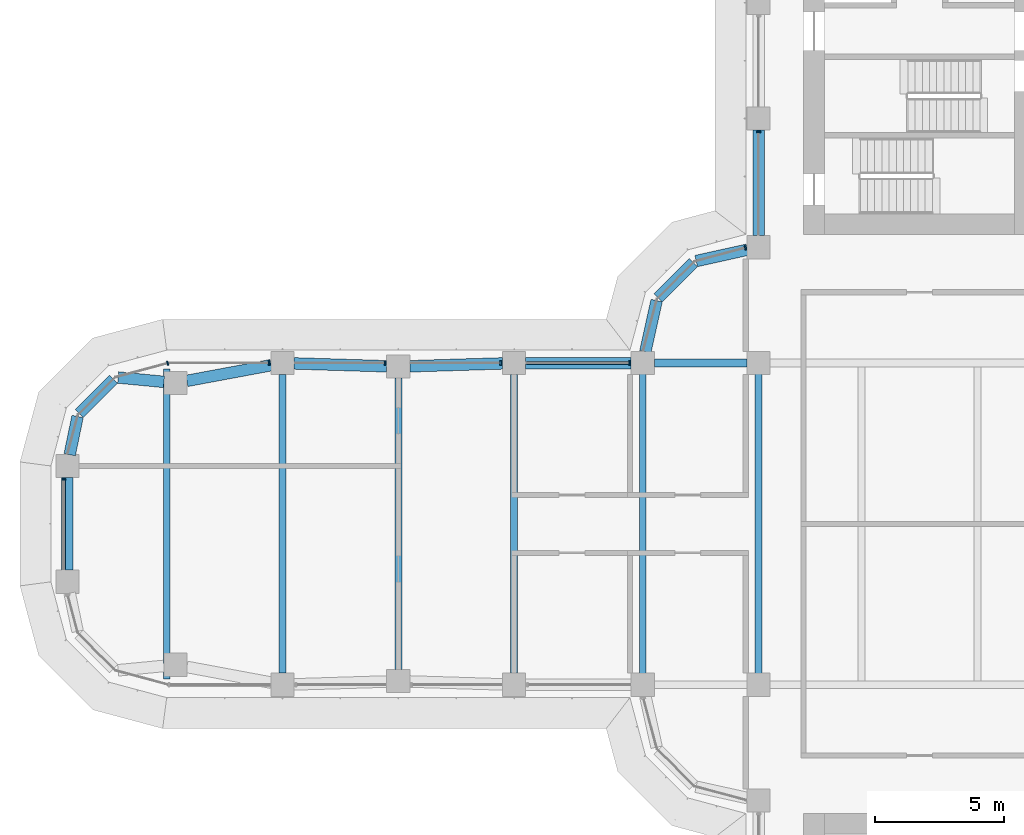
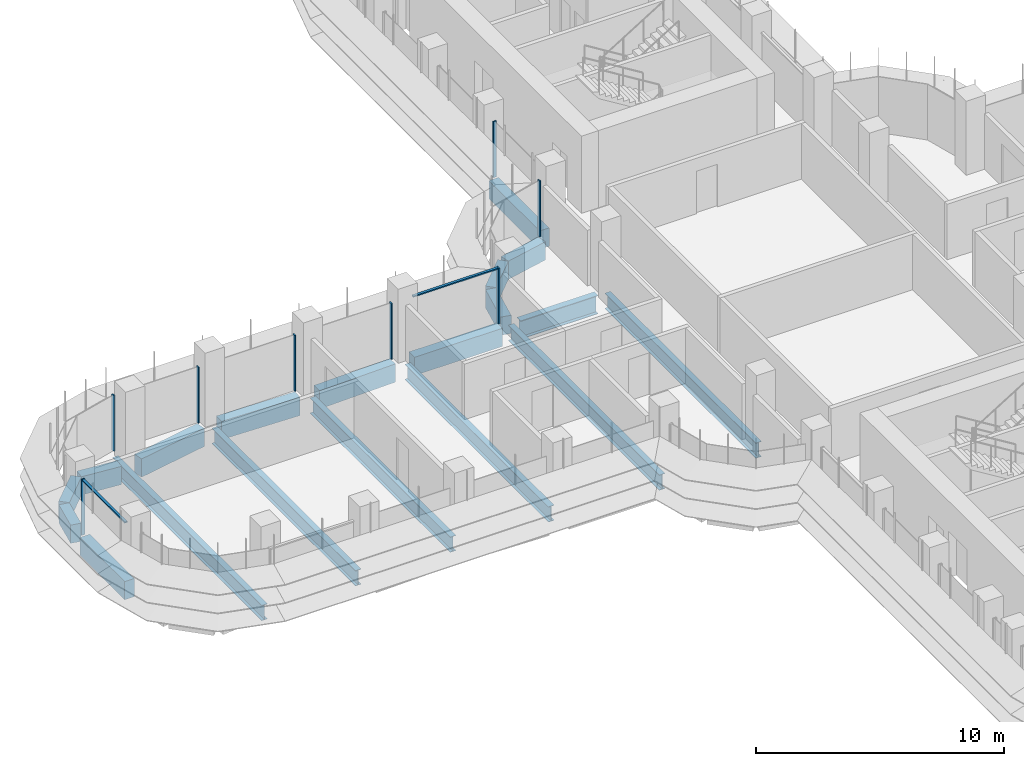
# One storey, part 6 of 21: 19 beams, 10 members, 5 elements without a shape of their own.
"""IFC4 building model written with IfcOpenShell, lengths in metres."""

from ifc_helpers import new_model, si_unit, direction, frame, origin, origin_2d, place, context, subcontext, project, spatial, polyline, rectangle, i_section, outline, extrude, source, transform, mapped, material, material_profile, profile_set, type_object, element, aggregate, save


model = new_model("IFC4")

# Units and contexts
model_context = context("Model", 3, precision=1e-05, world=origin(), true_north=direction((0.0, 1.0)))
body_context = subcontext(model_context, "Body", "Model", "MODEL_VIEW")
ifc_project = project(units=[si_unit("LENGTHUNIT", "METRE"), si_unit("AREAUNIT", "SQUARE_METRE"), si_unit("VOLUMEUNIT", "CUBIC_METRE"), si_unit("PLANEANGLEUNIT", "RADIAN"), si_unit("MASSUNIT", "GRAM", prefix="KILO")], contexts=[model_context])

# Site, building, storey
site_placement = place(None, origin())
site = spatial("IfcSite", under=ifc_project, at=site_placement, CompositionType="ELEMENT")
building_placement = place(site_placement, origin())
building = spatial("IfcBuilding", under=site, at=building_placement, Name="Zarbagh Exchange Tower", CompositionType="ELEMENT")
storey_placement = place(building_placement, frame((0.0, 0.0, 120.800048828125)))
storey = spatial("IfcBuildingStorey", under=building, at=storey_placement, Name="L28", CompositionType="ELEMENT", Elevation=120.800048828125)

# Beams
ifc_material_1 = material(Name="Steel ASTM A992 Gr 50", Category="steel")
ifc_material_profile_1 = material_profile(ifc_material_1, i_section(OverallWidth=0.2666015625, OverallDepth=0.7568359375, WebThickness=0.013916015625, FlangeThickness=0.019287109375, at=origin_2d()), Name="W30X108")
ifc_profile_set_1 = profile_set([ifc_material_profile_1], Name="Steel ASTM A992 Gr 50")
beam_type_1 = type_object("IfcBeamType", Name="Floor beam W30X108", PredefinedType="BEAM", material=ifc_profile_set_1)
for number, where, z_axis, x_axis, name in (
    (1, (-10.75, -6.09765625, -0.528564453125), (0.0, 1.0, 0.0), (-1.0, 0.0, 0.0), "Steel floor beam"),
    (2, (-6.25, -6.09765625, -0.528564453125), (0.0, 1.0, 0.0), (-1.0, 0.0, 0.0), "Steel floor beam"),
):
    element("IfcBeam", number, at=place(storey_placement, frame(where, z_axis=z_axis, x_axis=x_axis)), inside=storey, type_object=beam_type_1, Name=name, PredefinedType="BEAM", context=body_context, shape_type="SweptSolid", body=[
        extrude(i_section(OverallWidth=0.2666015625, OverallDepth=0.7568359375, WebThickness=0.013916015625, FlangeThickness=0.019287109375, at=origin_2d()), origin(), (0.0, 0.0, 1.0), 12.1953125),
    ])
beam_1_placement = place(storey_placement, frame((-15.75, -5.800048828125, -0.528564453125), z_axis=(0.0, 1.0, 0.0), x_axis=(-1.0, 0.0, 0.0)))
element("IfcBeam", 3, at=beam_1_placement, inside=storey, type_object=beam_type_1, Name="Steel floor beam", PredefinedType="BEAM", context=body_context, shape_type="SweptSolid", body=[
    extrude(i_section(OverallWidth=0.2666015625, OverallDepth=0.7568359375, WebThickness=0.013916015625, FlangeThickness=0.019287109375, at=origin_2d()), origin(), (0.0, 0.0, 1.0), 11.60009765625),
])
beam_2_placement = place(storey_placement, frame((-20.25, -5.659912109375, -0.528564453125), z_axis=(0.0, 1.0, 0.0), x_axis=(-1.0, 0.0, 0.0)))
element("IfcBeam", 4, at=beam_2_placement, inside=storey, type_object=beam_type_1, Name="Steel floor beam", PredefinedType="BEAM", context=body_context, shape_type="SweptSolid", body=[
    extrude(i_section(OverallWidth=0.2666015625, OverallDepth=0.7568359375, WebThickness=0.013916015625, FlangeThickness=0.019287109375, at=origin_2d()), origin(), (0.0, 0.0, 1.0), 11.31982421875),
])
beam_3_placement = place(storey_placement, frame((-24.75, -5.800048828125, -0.528564453125), z_axis=(0.0, 1.0, 0.0), x_axis=(-1.0, 0.0, 0.0)))
element("IfcBeam", 5, at=beam_3_placement, inside=storey, type_object=beam_type_1, Name="Steel floor beam", PredefinedType="BEAM", context=body_context, shape_type="SweptSolid", body=[
    extrude(i_section(OverallWidth=0.2666015625, OverallDepth=0.7568359375, WebThickness=0.013916015625, FlangeThickness=0.019287109375, at=origin_2d()), origin(), (0.0, 0.0, 1.0), 11.60009765625),
])
beam_4_placement = place(storey_placement, frame((-29.25, -6.02490234375, -0.528564453125), z_axis=(0.0, 1.0, 0.0), x_axis=(-1.0, 0.0, 0.0)))
element("IfcBeam", 6, at=beam_4_placement, inside=storey, type_object=beam_type_1, Name="Steel floor beam", PredefinedType="BEAM", context=body_context, shape_type="SweptSolid", body=[
    extrude(i_section(OverallWidth=0.2666015625, OverallDepth=0.7568359375, WebThickness=0.013916015625, FlangeThickness=0.019287109375, at=origin_2d()), origin(), (0.0, 0.0, 1.0), 12.0498046875),
])
ifc_material_profile_2 = material_profile(ifc_material_1, i_section(OverallWidth=0.3046875, OverallDepth=0.911865234375, WebThickness=0.015869140625, FlangeThickness=0.02392578125, at=origin_2d()), Name="W36X150")
ifc_profile_set_2 = profile_set([ifc_material_profile_2], Name="Steel ASTM A992 Gr 50")
beam_type_2 = type_object("IfcBeamType", Name="Floor girder W36X150", PredefinedType="BEAM", material=ifc_profile_set_2)
beam_5_placement = place(storey_placement, frame((-10.300048828125, 6.25, -0.60595703125), z_axis=(1.0, 0.0, 0.0), x_axis=(0.0, 1.0, 0.0)))
element("IfcBeam", 7, at=beam_5_placement, inside=storey, type_object=beam_type_2, Name="Steel girder", PredefinedType="BEAM", context=body_context, shape_type="SweptSolid", body=[
    extrude(i_section(OverallWidth=0.3046875, OverallDepth=0.911865234375, WebThickness=0.015869140625, FlangeThickness=0.02392578125, at=origin_2d()), origin(), (0.0, 0.0, 1.0), 3.60009765625),
])
ifc_material_2 = material(Name="Concrete C60/75", Category="concrete")
ifc_material_profile_3 = material_profile(ifc_material_2, rectangle(XDim=0.449951171875, YDim=0.89990234375, at=origin_2d()), Name="RC spandrel beam 450 x 900 C60/75")
ifc_profile_set_3 = profile_set([ifc_material_profile_3], Name="Concrete C60/75")
beam_type_3 = type_object("IfcBeamType", Name="RC spandrel beam 450 x 900 C60/75", PredefinedType="SPANDREL", material=ifc_profile_set_3)
beam_6_placement = place(storey_placement, frame((-33.110107421875, -1.800048828125, -0.60009765625), z_axis=(0.0, 1.0, 0.0), x_axis=(-1.0, 0.0, 0.0)))
element("IfcBeam", 8, at=beam_6_placement, inside=storey, type_object=beam_type_3, Name="RC spandrel beam", PredefinedType="SPANDREL", context=body_context, shape_type="SweptSolid", body=[
    extrude(rectangle(XDim=0.449951171875, YDim=0.89990234375, at=origin_2d()), origin(), (0.0, 0.0, 1.0), 3.60009765625),
])
beam_7_placement = place(storey_placement, frame((-33.01904296875, 2.690673828125, -0.60009765625), z_axis=(0.202275417995, 0.979328675816, 0.0), x_axis=(-0.979328675816, 0.202275417995, 0.0)))
element("IfcBeam", 9, at=beam_7_placement, inside=storey, type_object=beam_type_3, Name="RC spandrel beam", PredefinedType="SPANDREL", context=body_context, shape_type="SweptSolid", body=[
    extrude(rectangle(XDim=0.449951171875, YDim=0.89990234375, at=origin_2d()), origin(), (0.0, 0.0, 1.0), 1.515869140625),
])
beam_8_placement = place(storey_placement, frame((-32.651123046875, 4.288818359375, -0.60009765625), z_axis=(0.707106781187, 0.707106781187, 0.0), x_axis=(-0.707106781187, 0.707106781187, 0.0)))
element("IfcBeam", 10, at=beam_8_placement, inside=storey, type_object=beam_type_3, Name="RC spandrel beam", PredefinedType="SPANDREL", context=body_context, shape_type="SweptSolid", body=[
    extrude(rectangle(XDim=0.449951171875, YDim=0.89990234375, at=origin_2d()), origin(), (0.0, 0.0, 1.0), 1.887939453125),
])
beam_9_placement = place(storey_placement, frame((-31.135498046875, 5.688720703125, -0.60009765625), z_axis=(0.995433267802, -0.095459988228, 0.0), x_axis=(0.095459988228, 0.995433267802, 0.0)))
element("IfcBeam", 11, at=beam_9_placement, inside=storey, type_object=beam_type_3, Name="RC spandrel beam", PredefinedType="SPANDREL", context=body_context, shape_type="SweptSolid", body=[
    extrude(rectangle(XDim=0.449951171875, YDim=0.89990234375, at=origin_2d()), origin(), (0.0, 0.0, 1.0), 1.78759765625),
])
beam_10_placement = place(storey_placement, frame((-28.465576171875, 5.5576171875, -0.60009765625), z_axis=(0.98308156541, 0.183168326277, 0.0), x_axis=(-0.183168326277, 0.98308156541, 0.0)))
element("IfcBeam", 12, at=beam_10_placement, inside=storey, type_object=beam_type_3, Name="RC spandrel beam", PredefinedType="SPANDREL", context=body_context, shape_type="SweptSolid", body=[
    extrude(rectangle(XDim=0.449951171875, YDim=0.89990234375, at=origin_2d()), origin(), (0.0, 0.0, 1.0), 3.32958984375),
])
for number, where, z_axis, x_axis, name in (
    (13, (-24.30029296875, 6.236083984375, -0.60009765625), (0.999516035224, -0.031107801747, 0.0), (0.031107801747, 0.999516035224, 0.0), "RC spandrel beam"),
    (14, (-19.80029296875, 6.1240234375, -0.60009765625), (0.999516035224, 0.031107801747, 0.0), (-0.031107801747, 0.999516035224, 0.0), "RC spandrel beam"),
):
    element("IfcBeam", number, at=place(storey_placement, frame(where, z_axis=z_axis, x_axis=x_axis)), inside=storey, type_object=beam_type_3, Name=name, PredefinedType="SPANDREL", context=body_context, shape_type="SweptSolid", body=[
        extrude(rectangle(XDim=0.449951171875, YDim=0.89990234375, at=origin_2d()), origin(), (0.0, 0.0, 1.0), 3.602294921875),
    ])
beam_11_placement = place(storey_placement, frame((-15.300048828125, 6.25, -0.60009765625), z_axis=(1.0, 0.0, 0.0), x_axis=(0.0, 1.0, 0.0)))
element("IfcBeam", 15, at=beam_11_placement, inside=storey, type_object=beam_type_3, Name="RC spandrel beam", PredefinedType="SPANDREL", context=body_context, shape_type="SweptSolid", body=[
    extrude(rectangle(XDim=0.449951171875, YDim=0.89990234375, at=origin_2d()), origin(), (0.0, 0.0, 1.0), 4.10009765625),
])
beam_12_placement = place(storey_placement, frame((-10.65283203125, 6.689453125, -0.60009765625), z_axis=(0.216117666208, 0.976367325525, 0.0), x_axis=(-0.976367325525, 0.216117666208, 0.0)))
element("IfcBeam", 16, at=beam_12_placement, inside=storey, type_object=beam_type_3, Name="RC spandrel beam", PredefinedType="SPANDREL", context=body_context, shape_type="SweptSolid", body=[
    extrude(rectangle(XDim=0.449951171875, YDim=0.89990234375, at=origin_2d()), origin(), (0.0, 0.0, 1.0), 2.03564453125),
])
beam_13_placement = place(storey_placement, frame((-10.15234375, 8.78759765625, -0.60009765625), z_axis=(0.707106781187, 0.707106781187, 0.0), x_axis=(-0.707106781187, 0.707106781187, 0.0)))
element("IfcBeam", 17, at=beam_13_placement, inside=storey, type_object=beam_type_3, Name="RC spandrel beam", PredefinedType="SPANDREL", context=body_context, shape_type="SweptSolid", body=[
    extrude(rectangle(XDim=0.449951171875, YDim=0.89990234375, at=origin_2d()), origin(), (0.0, 0.0, 1.0), 1.929931640625),
])
beam_14_placement = place(storey_placement, frame((-8.677001953125, 10.212890625, -0.60009765625), z_axis=(0.976367325525, 0.216117666208, 0.0), x_axis=(-0.216117666208, 0.976367325525, 0.0)))
element("IfcBeam", 18, at=beam_14_placement, inside=storey, type_object=beam_type_3, Name="RC spandrel beam", PredefinedType="SPANDREL", context=body_context, shape_type="SweptSolid", body=[
    extrude(rectangle(XDim=0.449951171875, YDim=0.89990234375, at=origin_2d()), origin(), (0.0, 0.0, 1.0), 2.03564453125),
])
beam_15_placement = place(storey_placement, frame((-6.25, 11.199951171875, -0.60009765625), z_axis=(0.0, 1.0, 0.0), x_axis=(-1.0, 0.0, 0.0)))
element("IfcBeam", 19, at=beam_15_placement, inside=storey, type_object=beam_type_3, Name="RC spandrel beam", PredefinedType="SPANDREL", context=body_context, shape_type="SweptSolid", body=[
    extrude(rectangle(XDim=0.449951171875, YDim=0.89990234375, at=origin_2d()), origin(), (0.0, 0.0, 1.0), 4.10009765625),
])

# Curtain wall, member
ifc_material_3 = material(Name="Anodised aluminium frame and glazing", Category="aluminium")
curtain_wall_type = type_object("IfcCurtainWallType", Name="CWA Ribbon glazing, lower zones", PredefinedType="NOTDEFINED", material=ifc_material_3)
curtain_wall_1_placement = place(storey_placement, origin())
curtain_wall_1 = element("IfcCurtainWall", 20, at=curtain_wall_1_placement, inside=storey, type_object=curtain_wall_type, Name="CWA56 curtain wall", PredefinedType="NOTDEFINED")
ifc_material_4 = material(Name="Anodised aluminium frame", Category="aluminium")
member_type_1 = type_object("IfcMemberType", Name="MUA Mullion, anodised aluminium frame", PredefinedType="MULLION", material=ifc_material_4)
shared_shape_1 = source(origin(), body_context, "Body", "SweptSolid", [
    extrude(outline(polyline([(0.0, -0.080078125), (0.06005859375, -0.080078125), (0.06005859375, 0.080078125), (0.0, 0.080078125), (0.0, -0.080078125)])), origin(), (0.0, 0.0, 1.0), 2.75),
])
placement = place(storey_placement, origin())
member_1 = element("IfcMember", 21, at=placement, type_object=member_type_1, Name="CWA56 mullion 4.1", PredefinedType="MULLION", context=body_context, shape_type="MappedRepresentation", body=[
    mapped(shared_shape_1, transform((-6.25, 15.260009765625, 0.0), x_axis=(0.0, -1.0, 0.0), y_axis=(1.0, 0.0, 0.0), z_axis=(0.0, 0.0, 1.0))),
])
aggregate(curtain_wall_1, [member_1])

curtain_wall_2_placement = place(storey_placement, origin())
curtain_wall_2 = element("IfcCurtainWall", 22, at=curtain_wall_2_placement, inside=storey, type_object=curtain_wall_type, Name="CWA29 curtain wall", PredefinedType="NOTDEFINED")
member_2 = element("IfcMember", 23, at=placement, type_object=member_type_1, Name="CWA29 mullion 1.1", PredefinedType="MULLION", context=body_context, shape_type="MappedRepresentation", body=[
    mapped(shared_shape_1, transform((-6.739990234375, 10.735107421875, 0.0), x_axis=(-0.965924289636, -0.258824779902, 0.0), y_axis=(0.258824779902, -0.965924289636, 0.0), z_axis=(0.0, 0.0, 1.0))),
])
aggregate(curtain_wall_2, [member_2])

# Curtain wall, members
curtain_wall_3_placement = place(storey_placement, origin())
curtain_wall_3 = element("IfcCurtainWall", 24, at=curtain_wall_3_placement, inside=storey, type_object=curtain_wall_type, Name="CWA32 curtain wall", PredefinedType="NOTDEFINED")
member_3 = element("IfcMember", 25, at=placement, type_object=member_type_1, Name="CWA32 mullion 1.1", PredefinedType="MULLION", context=body_context, shape_type="MappedRepresentation", body=[
    mapped(shared_shape_1, transform((-11.239990234375, 6.25, 0.0), x_axis=(-1.0, 0.0, 0.0), y_axis=(0.0, -1.0, 0.0), z_axis=(0.0, 0.0, 1.0))),
])
member_4 = element("IfcMember", 26, at=placement, type_object=member_type_1, Name="CWA32 mullion 2.1", PredefinedType="MULLION", context=body_context, shape_type="MappedRepresentation", body=[
    mapped(shared_shape_1, transform((-16.239990234375, 6.25, 0.0), x_axis=(-1.0, 0.0, 0.0), y_axis=(0.0, -1.0, 0.0), z_axis=(0.0, 0.0, 1.0))),
])
member_5 = element("IfcMember", 27, at=placement, type_object=member_type_1, Name="CWA32 mullion 3.1", PredefinedType="MULLION", context=body_context, shape_type="MappedRepresentation", body=[
    mapped(shared_shape_1, transform((-20.739990234375, 6.25, 0.0), x_axis=(-1.0, 0.0, 0.0), y_axis=(0.0, -1.0, 0.0), z_axis=(0.0, 0.0, 1.0))),
])
member_6 = element("IfcMember", 28, at=placement, type_object=member_type_1, Name="CWA32 mullion 4.1", PredefinedType="MULLION", context=body_context, shape_type="MappedRepresentation", body=[
    mapped(shared_shape_1, transform((-25.239990234375, 6.25, 0.0), x_axis=(-1.0, 0.0, 0.0), y_axis=(0.0, -1.0, 0.0), z_axis=(0.0, 0.0, 1.0))),
])

# Curtain wall, member
curtain_wall_4_placement = place(storey_placement, origin())
curtain_wall_4 = element("IfcCurtainWall", 29, at=curtain_wall_4_placement, inside=storey, type_object=curtain_wall_type, Name="CWA33 curtain wall", PredefinedType="NOTDEFINED")
member_7 = element("IfcMember", 30, at=placement, type_object=member_type_1, Name="CWA33 mullion 1.1", PredefinedType="MULLION", context=body_context, shape_type="MappedRepresentation", body=[
    mapped(shared_shape_1, transform((-29.18408203125, 6.25, 0.0), x_axis=(-0.965924289636, -0.258824779902, 0.0), y_axis=(0.258824779902, -0.965924289636, 0.0), z_axis=(0.0, 0.0, 1.0))),
])
aggregate(curtain_wall_4, [member_7])

curtain_wall_5_placement = place(storey_placement, origin())
curtain_wall_5 = element("IfcCurtainWall", 31, at=curtain_wall_5_placement, inside=storey, type_object=curtain_wall_type, Name="CWA36 curtain wall", PredefinedType="NOTDEFINED")
member_8 = element("IfcMember", 32, at=placement, type_object=member_type_1, Name="CWA36 mullion 1.1", PredefinedType="MULLION", context=body_context, shape_type="MappedRepresentation", body=[
    mapped(shared_shape_1, transform((-33.25, 1.760009765625, 0.0), x_axis=(0.0, -1.0, 0.0), y_axis=(1.0, 0.0, 0.0), z_axis=(0.0, 0.0, 1.0))),
])

# Member
member_type_2 = type_object("IfcMemberType", Name="TRA Transom, anodised aluminium frame", PredefinedType="USERDEFINED", material=ifc_material_4)
shared_shape_2 = source(origin(), body_context, "Body", "SweptSolid", [
    extrude(outline(polyline([(-0.06005859375, -0.06005859375), (0.0, -0.06005859375), (0.0, 0.06005859375), (-0.06005859375, 0.06005859375), (-0.06005859375, -0.06005859375)])), origin(), (0.0, 0.0, 1.0), 3.9599609375),
])
member_9 = element("IfcMember", 33, at=placement, type_object=member_type_2, Name="CWA32 transom 1.1", ObjectType="TRANSOM", PredefinedType="USERDEFINED", context=body_context, shape_type="MappedRepresentation", body=[
    mapped(shared_shape_2, transform((-11.300048828125, 6.25, 2.75), x_axis=(0.0, 0.0, 1.0), y_axis=(0.0, 1.0, 0.0), z_axis=(-1.0, 0.0, 0.0))),
])

aggregate(curtain_wall_3, [member_3, member_9, member_4, member_5, member_6])

shared_shape_3 = source(origin(), body_context, "Body", "SweptSolid", [
    extrude(outline(polyline([(-0.06005859375, -0.06005859375), (0.0, -0.06005859375), (0.0, 0.06005859375), (-0.06005859375, 0.06005859375), (-0.06005859375, -0.06005859375)])), origin(), (0.0, 0.0, 1.0), 3.4599609375),
])
member_10 = element("IfcMember", 34, at=placement, type_object=member_type_2, Name="CWA36 transom 1.1", ObjectType="TRANSOM", PredefinedType="USERDEFINED", context=body_context, shape_type="MappedRepresentation", body=[
    mapped(shared_shape_3, transform((-33.25, 1.699951171875, 2.75), x_axis=(0.0, 0.0, 1.0), y_axis=(-1.0, 0.0, 0.0), z_axis=(0.0, -1.0, 0.0))),
])

aggregate(curtain_wall_5, [member_8, member_10])

save(model, "model.ifc")
